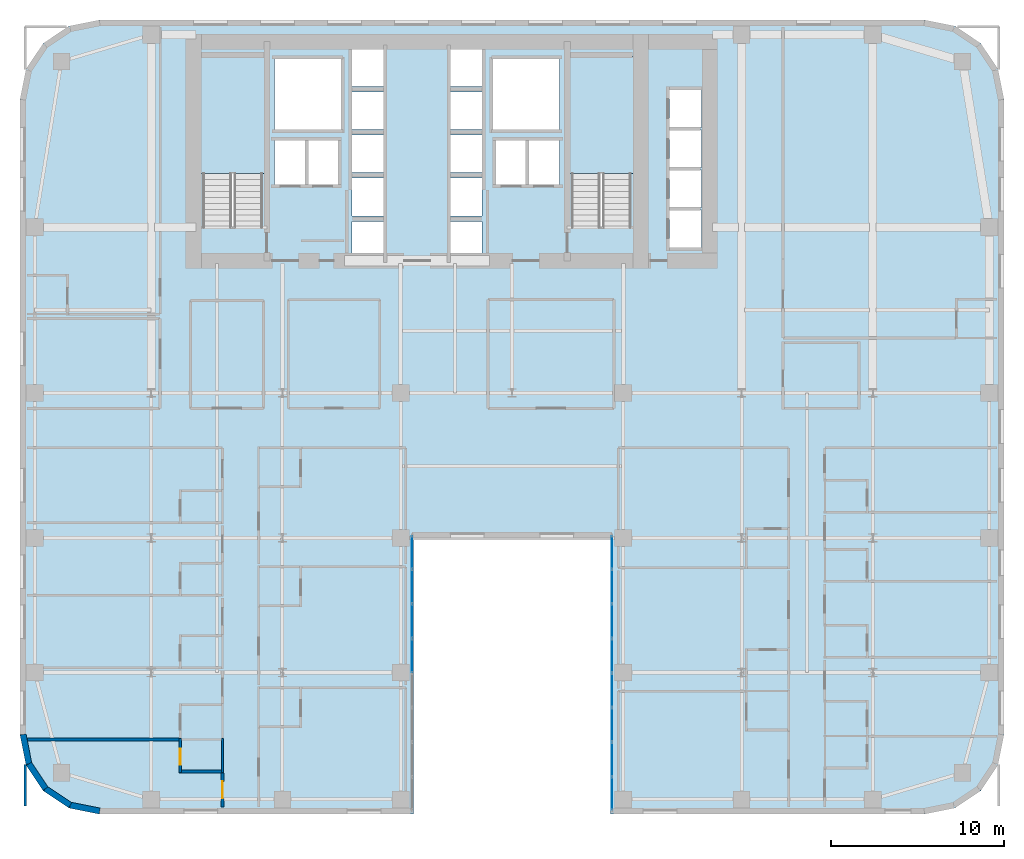
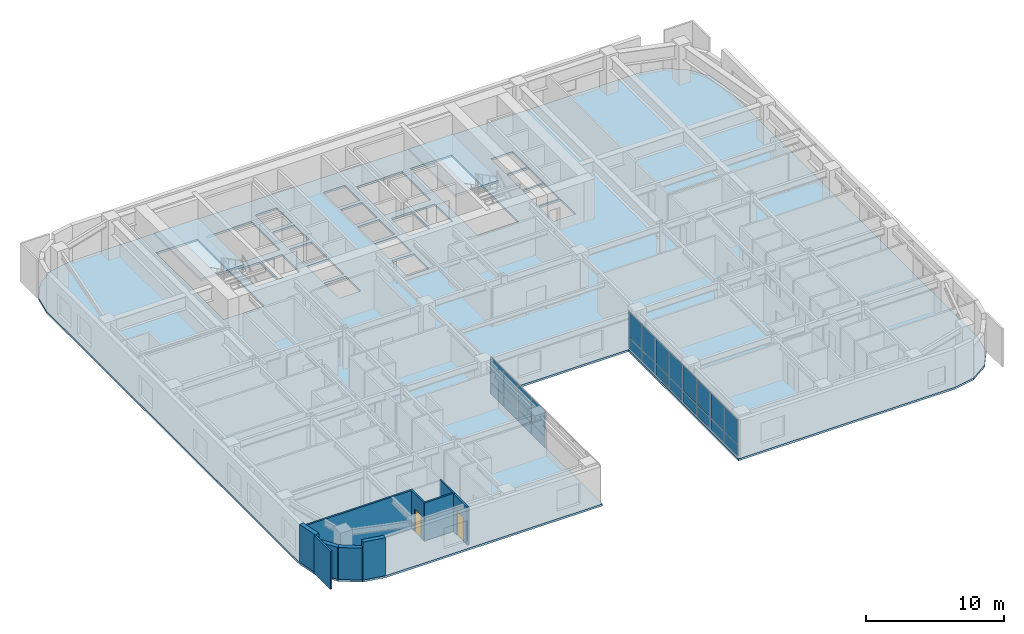
# One storey, part 9 of 17: 24 plates, 10 walls, 3 slabs, 2 doors, 2 openings, 4 elements without a shape of their own.
"""IFC4 building model written with IfcOpenShell, lengths in metres."""

from ifc_helpers import new_model, si_unit, direction, frame, frame_2d, origin, origin_2d, place, context, subcontext, project, spatial, polyline, rectangle, outline, extrude, source, transform, mapped, material, layer, layer_set, type_object, type_shapes, element, fill, aggregate, save


model = new_model("IFC4")

# Units and contexts
model_context = context("Model", 3, precision=1e-05, world=origin(), true_north=direction((0.0, 1.0)))
body_context = subcontext(model_context, "Body", "Model", "MODEL_VIEW")
ifc_project = project(units=[si_unit("LENGTHUNIT", "METRE"), si_unit("AREAUNIT", "SQUARE_METRE"), si_unit("VOLUMEUNIT", "CUBIC_METRE"), si_unit("PLANEANGLEUNIT", "RADIAN"), si_unit("MASSUNIT", "GRAM", prefix="KILO")], contexts=[model_context])

# Site, building, storey
site_placement = place(None, origin())
site = spatial("IfcSite", under=ifc_project, at=site_placement, CompositionType="ELEMENT")
building_placement = place(site_placement, origin())
building = spatial("IfcBuilding", under=site, at=building_placement, Name="Tolvann Quenvar Hotel", CompositionType="ELEMENT")
storey_placement = place(building_placement, frame((0.0, 0.0, 35.550048828125)))
storey = spatial("IfcBuildingStorey", under=building, at=storey_placement, Name="L07", CompositionType="ELEMENT", Elevation=35.550048828125)

# Stair, slab
ifc_material_1 = material(Name="Concrete N40 (40 MPa)", Category="concrete")
stair_type = type_object("IfcStairType", Name="STAIR", PredefinedType="HALF_TURN_STAIR", material=ifc_material_1)
stair_1_placement = place(storey_placement, origin())
stair_1 = element("IfcStair", 1, at=stair_1_placement, inside=storey, type_object=stair_type, Name="L07 ST-C1", PredefinedType="HALF_TURN_STAIR")
ifc_layer_1 = layer(ifc_material_1, 0.199951171875)
ifc_layer_set_1 = layer_set([ifc_layer_1], Name="Concrete N40 (40 MPa)")
slab_type_1 = type_object("IfcSlabType", Name="SLAB_LANDING", PredefinedType="LANDING", material=ifc_layer_set_1)
slab_1_placement = place(storey_placement, frame((0.0, 0.0, 1.574951171875)))
slab_1 = element("IfcSlab", 2, at=slab_1_placement, type_object=slab_type_1, Name="ST-C1 landing 1", PredefinedType="LANDING", context=body_context, shape_type="SweptSolid", body=[
    extrude(outline(polyline([(14.179931640625, 37.10498046875), (14.179931640625, 43.8798828125), (10.469970703125, 43.8798828125), (10.469970703125, 37.10498046875), (14.179931640625, 37.10498046875)])), origin(), (0.0, 0.0, 1.0), 0.199951171875),
])
aggregate(stair_1, [slab_1])

stair_2_placement = place(storey_placement, origin())
stair_2 = element("IfcStair", 3, at=stair_2_placement, inside=storey, type_object=stair_type, Name="L07 ST-C2", PredefinedType="HALF_TURN_STAIR")
slab_2_placement = place(storey_placement, frame((0.0, 0.0, 1.574951171875)))
slab_2 = element("IfcSlab", 4, at=slab_2_placement, type_object=slab_type_1, Name="ST-C2 landing 1", PredefinedType="LANDING", context=body_context, shape_type="SweptSolid", body=[
    extrude(outline(polyline([(35.530029296875, 37.10498046875), (35.530029296875, 43.8798828125), (31.820068359375, 43.8798828125), (31.820068359375, 37.10498046875), (35.530029296875, 37.10498046875)])), origin(), (0.0, 0.0, 1.0), 0.199951171875),
])
aggregate(stair_2, [slab_2])

# Slab
ifc_layer_2 = layer(ifc_material_1, 0.179931640625)
ifc_layer_set_2 = layer_set([ifc_layer_2], Name="Concrete N40 (40 MPa)")
slab_type_2 = type_object("IfcSlabType", Name="SLAB_TWR_180", PredefinedType="FLOOR", material=ifc_layer_set_2)
slab_3_placement = place(storey_placement, frame((0.0, 0.0, -0.179931640625)))
element("IfcSlab", 5, at=slab_3_placement, inside=storey, type_object=slab_type_2, Name="Level L07 Structural Floor Slab", PredefinedType="FLOOR", context=body_context, shape_type="SweptSolid", body=[
    extrude(outline(polyline([(0.0, 4.60009765625), (0.35009765625, 2.839599609375), (1.347412109375, 1.347412109375), (2.839599609375, 0.35009765625), (4.60009765625, 0.0), (22.800048828125, 0.0), (22.800048828125, 16.0), (34.199951171875, 16.0), (34.199951171875, 0.0), (52.39990234375, 0.0), (54.160400390625, 0.35009765625), (55.652587890625, 1.347412109375), (56.64990234375, 2.839599609375), (57.0, 4.60009765625), (57.0, 41.39990234375), (56.64990234375, 43.160400390625), (55.652587890625, 44.652587890625), (54.160400390625, 45.64990234375), (52.39990234375, 46.0), (4.60009765625, 46.0), (2.839599609375, 45.64990234375), (1.347412109375, 44.652587890625), (0.35009765625, 43.160400390625), (0.0, 41.39990234375), (0.0, 4.60009765625)]), holes=[polyline([(37.6298828125, 41.949951171875), (39.469970703125, 41.949951171875), (39.469970703125, 39.77001953125), (37.6298828125, 39.77001953125), (37.6298828125, 41.949951171875)]), polyline([(37.6298828125, 39.6298828125), (39.469970703125, 39.6298828125), (39.469970703125, 37.449951171875), (37.6298828125, 37.449951171875), (37.6298828125, 39.6298828125)]), polyline([(37.6298828125, 37.31005859375), (39.469970703125, 37.31005859375), (39.469970703125, 35.1298828125), (37.6298828125, 35.1298828125), (37.6298828125, 37.31005859375)]), polyline([(37.6298828125, 34.989990234375), (39.469970703125, 34.989990234375), (39.469970703125, 32.81005859375), (37.6298828125, 32.81005859375), (37.6298828125, 34.989990234375)]), polyline([(31.949951171875, 43.800048828125), (35.39990234375, 43.800048828125), (35.39990234375, 34.02490234375), (31.949951171875, 34.02490234375), (31.949951171875, 43.800048828125)]), polyline([(31.25, 39.02001953125), (31.25, 36.47998046875), (29.449951171875, 36.47998046875), (29.449951171875, 39.02001953125), (31.25, 39.02001953125)]), polyline([(31.25, 43.75), (31.25, 39.64990234375), (27.39990234375, 39.64990234375), (27.39990234375, 43.75), (31.25, 43.75)]), polyline([(27.574951171875, 39.02001953125), (29.324951171875, 39.02001953125), (29.324951171875, 36.47998046875), (27.574951171875, 36.47998046875), (27.574951171875, 39.02001953125)]), polyline([(26.77001953125, 36.840087890625), (26.77001953125, 34.659912109375), (24.929931640625, 34.659912109375), (24.929931640625, 36.840087890625), (26.77001953125, 36.840087890625)]), polyline([(26.77001953125, 44.340087890625), (26.77001953125, 42.159912109375), (24.929931640625, 42.159912109375), (24.929931640625, 44.340087890625), (26.77001953125, 44.340087890625)]), polyline([(26.77001953125, 41.840087890625), (26.77001953125, 39.659912109375), (24.929931640625, 39.659912109375), (24.929931640625, 41.840087890625), (26.77001953125, 41.840087890625)]), polyline([(26.77001953125, 39.340087890625), (26.77001953125, 37.159912109375), (24.929931640625, 37.159912109375), (24.929931640625, 39.340087890625), (26.77001953125, 39.340087890625)]), polyline([(24.929931640625, 34.340087890625), (26.77001953125, 34.340087890625), (26.77001953125, 32.159912109375), (24.929931640625, 32.159912109375), (24.929931640625, 34.340087890625)]), polyline([(21.070068359375, 44.340087890625), (21.070068359375, 42.159912109375), (19.22998046875, 42.159912109375), (19.22998046875, 44.340087890625), (21.070068359375, 44.340087890625)]), polyline([(19.22998046875, 41.840087890625), (21.070068359375, 41.840087890625), (21.070068359375, 39.659912109375), (19.22998046875, 39.659912109375), (19.22998046875, 41.840087890625)]), polyline([(21.070068359375, 39.340087890625), (21.070068359375, 37.159912109375), (19.22998046875, 37.159912109375), (19.22998046875, 39.340087890625), (21.070068359375, 39.340087890625)]), polyline([(19.22998046875, 36.840087890625), (21.070068359375, 36.840087890625), (21.070068359375, 34.659912109375), (19.22998046875, 34.659912109375), (19.22998046875, 36.840087890625)]), polyline([(19.22998046875, 34.340087890625), (21.070068359375, 34.340087890625), (21.070068359375, 32.159912109375), (19.22998046875, 32.159912109375), (19.22998046875, 34.340087890625)]), polyline([(18.60009765625, 43.75), (18.60009765625, 39.64990234375), (14.75, 39.64990234375), (14.75, 43.75), (18.60009765625, 43.75)]), polyline([(16.675048828125, 39.02001953125), (18.425048828125, 39.02001953125), (18.425048828125, 36.47998046875), (16.675048828125, 36.47998046875), (16.675048828125, 39.02001953125)]), polyline([(16.550048828125, 39.02001953125), (16.550048828125, 36.47998046875), (14.75, 36.47998046875), (14.75, 39.02001953125), (16.550048828125, 39.02001953125)]), polyline([(10.60009765625, 43.800048828125), (14.050048828125, 43.800048828125), (14.050048828125, 34.02490234375), (10.60009765625, 34.02490234375), (10.60009765625, 43.800048828125)])]), origin(), (0.0, 0.0, 1.0), 0.179931640625),
])

# Curtain wall, plate
ifc_material_2 = material(Name="Thermally broken anodised architectural aluminium 6063-T6 and laminated low-E glass", Category="aluminium")
ifc_layer_3 = layer(ifc_material_2, 0.179931640625)
ifc_layer_set_3 = layer_set([ifc_layer_3], Name="Thermally broken anodised architectural aluminium 6063-T6 and laminated low-E glass")
curtain_wall_type = type_object("IfcCurtainWallType", Name="CW_SYS_SLOT_03", PredefinedType="USERDEFINED", material=ifc_layer_set_3)
curtain_wall_1_placement = place(storey_placement, origin())
curtain_wall_1 = element("IfcCurtainWall", 6, at=curtain_wall_1_placement, inside=storey, type_object=curtain_wall_type, Name="Curtain Wall CW-SLOT-03 (CWR-L07-E05)", ObjectType="UNITISED CURTAIN WALL", PredefinedType="USERDEFINED")
ifc_material_3 = material(Name="Low-iron laminated double glazing with solar-control coating", Category="glass")
ifc_layer_4 = layer(ifc_material_3, 0.028076171875)
ifc_layer_set_4 = layer_set([ifc_layer_4], Name="Low-iron laminated double glazing with solar-control coating")
plate_type = type_object("IfcPlateType", Name="CW_PAN_VISION_28", PredefinedType="CURTAIN_PANEL", material=ifc_layer_set_4)
shared_shape_1 = source(origin(), body_context, "Body", "SweptSolid", [
    extrude(rectangle(XDim=1.89501953125, YDim=0.028076171875, at=origin_2d()), origin(), (0.0, 0.0, 1.0), 0.9599609375),
])
plate_1_placement = place(storey_placement, frame((22.7099609375, 15.157470703125, 0.06005859375), z_axis=(0.0, 0.0, 1.0), x_axis=(0.0, 1.0, 0.0)))
plate_1 = element("IfcPlate", 7, at=plate_1_placement, type_object=plate_type, Name="CW-SLOT-03 panel 8.1", PredefinedType="CURTAIN_PANEL", context=body_context, shape_type="MappedRepresentation", body=[
    mapped(shared_shape_1, transform((0.0, 0.0, 0.0), x_axis=(1.0, 0.0, 0.0), y_axis=(0.0, 1.0, 0.0), z_axis=(0.0, 0.0, 1.0), scale=1.0)),
])

# Curtain wall, plates
curtain_wall_2_placement = place(storey_placement, origin())
curtain_wall_2 = element("IfcCurtainWall", 8, at=curtain_wall_2_placement, inside=storey, type_object=curtain_wall_type, Name="Curtain Wall CW-SLOT-03 (CWR-L07-E07)", ObjectType="UNITISED CURTAIN WALL", PredefinedType="USERDEFINED")
plate_2_placement = place(storey_placement, frame((34.2900390625, 15.157470703125, 0.06005859375), z_axis=(0.0, 0.0, 1.0), x_axis=(0.0, -1.0, 0.0)))
plate_2 = element("IfcPlate", 9, at=plate_2_placement, type_object=plate_type, Name="CW-SLOT-03 panel 1.1", PredefinedType="CURTAIN_PANEL", context=body_context, shape_type="MappedRepresentation", body=[
    mapped(shared_shape_1, transform((0.0, 0.0, 0.0), x_axis=(1.0, 0.0, 0.0), y_axis=(0.0, 1.0, 0.0), z_axis=(0.0, 0.0, 1.0), scale=1.0)),
])
plate_3_placement = place(storey_placement, frame((34.2900390625, 1.1923828125, 0.06005859375), z_axis=(0.0, 0.0, 1.0), x_axis=(0.0, -1.0, 0.0)))
plate_3 = element("IfcPlate", 10, at=plate_3_placement, type_object=plate_type, Name="CW-SLOT-03 panel 8.1", PredefinedType="CURTAIN_PANEL", context=body_context, shape_type="MappedRepresentation", body=[
    mapped(shared_shape_1, transform((0.0, 0.0, 0.0), x_axis=(1.0, 0.0, 0.0), y_axis=(0.0, 1.0, 0.0), z_axis=(0.0, 0.0, 1.0), scale=1.0)),
])

# Plate
shared_shape_2 = source(origin(), body_context, "Body", "SweptSolid", [
    extrude(rectangle(XDim=1.89501953125, YDim=0.028076171875, at=origin_2d()), origin(), (0.0, 0.0, 1.0), 2.22998046875),
])
plate_4_placement = place(storey_placement, frame((22.7099609375, 15.157470703125, 1.080078125), z_axis=(0.0, 0.0, 1.0), x_axis=(0.0, 1.0, 0.0)))
plate_4 = element("IfcPlate", 11, at=plate_4_placement, type_object=plate_type, Name="CW-SLOT-03 panel 8.2", PredefinedType="CURTAIN_PANEL", context=body_context, shape_type="MappedRepresentation", body=[
    mapped(shared_shape_2, transform((0.0, 0.0, 0.0), x_axis=(1.0, 0.0, 0.0), y_axis=(0.0, 1.0, 0.0), z_axis=(0.0, 0.0, 1.0), scale=1.0)),
])

plate_5_placement = place(storey_placement, frame((34.2900390625, 15.157470703125, 1.080078125), z_axis=(0.0, 0.0, 1.0), x_axis=(0.0, -1.0, 0.0)))
plate_5 = element("IfcPlate", 12, at=plate_5_placement, type_object=plate_type, Name="CW-SLOT-03 panel 1.2", PredefinedType="CURTAIN_PANEL", context=body_context, shape_type="MappedRepresentation", body=[
    mapped(shared_shape_2, transform((0.0, 0.0, 0.0), x_axis=(1.0, 0.0, 0.0), y_axis=(0.0, 1.0, 0.0), z_axis=(0.0, 0.0, 1.0), scale=1.0)),
])

plate_6_placement = place(storey_placement, frame((34.2900390625, 1.1923828125, 1.080078125), z_axis=(0.0, 0.0, 1.0), x_axis=(0.0, -1.0, 0.0)))
plate_6 = element("IfcPlate", 13, at=plate_6_placement, type_object=plate_type, Name="CW-SLOT-03 panel 8.2", PredefinedType="CURTAIN_PANEL", context=body_context, shape_type="MappedRepresentation", body=[
    mapped(shared_shape_2, transform((0.0, 0.0, 0.0), x_axis=(1.0, 0.0, 0.0), y_axis=(0.0, 1.0, 0.0), z_axis=(0.0, 0.0, 1.0), scale=1.0)),
])

shared_shape_3 = source(origin(), body_context, "Body", "SweptSolid", [
    extrude(rectangle(XDim=1.929931640625, YDim=0.028076171875, at=origin_2d()), origin(), (0.0, 0.0, 1.0), 0.9599609375),
])
plate_7_placement = place(storey_placement, frame((22.7099609375, 9.175048828125, 0.06005859375), z_axis=(0.0, 0.0, 1.0), x_axis=(0.0, 1.0, 0.0)))
plate_7 = element("IfcPlate", 14, at=plate_7_placement, type_object=plate_type, Name="CW-SLOT-03 panel 5.1", PredefinedType="CURTAIN_PANEL", context=body_context, shape_type="MappedRepresentation", body=[
    mapped(shared_shape_3, transform((0.0, 0.0, 0.0), x_axis=(1.0, 0.0, 0.0), y_axis=(0.0, 1.0, 0.0), z_axis=(0.0, 0.0, 1.0), scale=1.0)),
])

plate_8_placement = place(storey_placement, frame((22.7099609375, 11.175048828125, 0.06005859375), z_axis=(0.0, 0.0, 1.0), x_axis=(0.0, 1.0, 0.0)))
plate_8 = element("IfcPlate", 15, at=plate_8_placement, type_object=plate_type, Name="CW-SLOT-03 panel 6.1", PredefinedType="CURTAIN_PANEL", context=body_context, shape_type="MappedRepresentation", body=[
    mapped(shared_shape_3, transform((0.0, 0.0, 0.0), x_axis=(1.0, 0.0, 0.0), y_axis=(0.0, 1.0, 0.0), z_axis=(0.0, 0.0, 1.0), scale=1.0)),
])

plate_9_placement = place(storey_placement, frame((22.7099609375, 13.175048828125, 0.06005859375), z_axis=(0.0, 0.0, 1.0), x_axis=(0.0, 1.0, 0.0)))
plate_9 = element("IfcPlate", 16, at=plate_9_placement, type_object=plate_type, Name="CW-SLOT-03 panel 7.1", PredefinedType="CURTAIN_PANEL", context=body_context, shape_type="MappedRepresentation", body=[
    mapped(shared_shape_3, transform((0.0, 0.0, 0.0), x_axis=(1.0, 0.0, 0.0), y_axis=(0.0, 1.0, 0.0), z_axis=(0.0, 0.0, 1.0), scale=1.0)),
])

plate_10_placement = place(storey_placement, frame((34.2900390625, 13.175048828125, 0.06005859375), z_axis=(0.0, 0.0, 1.0), x_axis=(0.0, -1.0, 0.0)))
plate_10 = element("IfcPlate", 17, at=plate_10_placement, type_object=plate_type, Name="CW-SLOT-03 panel 2.1", PredefinedType="CURTAIN_PANEL", context=body_context, shape_type="MappedRepresentation", body=[
    mapped(shared_shape_3, transform((0.0, 0.0, 0.0), x_axis=(1.0, 0.0, 0.0), y_axis=(0.0, 1.0, 0.0), z_axis=(0.0, 0.0, 1.0), scale=1.0)),
])

plate_11_placement = place(storey_placement, frame((34.2900390625, 11.175048828125, 0.06005859375), z_axis=(0.0, 0.0, 1.0), x_axis=(0.0, -1.0, 0.0)))
plate_11 = element("IfcPlate", 18, at=plate_11_placement, type_object=plate_type, Name="CW-SLOT-03 panel 3.1", PredefinedType="CURTAIN_PANEL", context=body_context, shape_type="MappedRepresentation", body=[
    mapped(shared_shape_3, transform((0.0, 0.0, 0.0), x_axis=(1.0, 0.0, 0.0), y_axis=(0.0, 1.0, 0.0), z_axis=(0.0, 0.0, 1.0), scale=1.0)),
])

plate_12_placement = place(storey_placement, frame((34.2900390625, 9.175048828125, 0.06005859375), z_axis=(0.0, 0.0, 1.0), x_axis=(0.0, -1.0, 0.0)))
plate_12 = element("IfcPlate", 19, at=plate_12_placement, type_object=plate_type, Name="CW-SLOT-03 panel 4.1", PredefinedType="CURTAIN_PANEL", context=body_context, shape_type="MappedRepresentation", body=[
    mapped(shared_shape_3, transform((0.0, 0.0, 0.0), x_axis=(1.0, 0.0, 0.0), y_axis=(0.0, 1.0, 0.0), z_axis=(0.0, 0.0, 1.0), scale=1.0)),
])

plate_13_placement = place(storey_placement, frame((34.2900390625, 7.175048828125, 0.06005859375), z_axis=(0.0, 0.0, 1.0), x_axis=(0.0, -1.0, 0.0)))
plate_13 = element("IfcPlate", 20, at=plate_13_placement, type_object=plate_type, Name="CW-SLOT-03 panel 5.1", PredefinedType="CURTAIN_PANEL", context=body_context, shape_type="MappedRepresentation", body=[
    mapped(shared_shape_3, transform((0.0, 0.0, 0.0), x_axis=(1.0, 0.0, 0.0), y_axis=(0.0, 1.0, 0.0), z_axis=(0.0, 0.0, 1.0), scale=1.0)),
])

plate_14_placement = place(storey_placement, frame((34.2900390625, 5.175048828125, 0.06005859375), z_axis=(0.0, 0.0, 1.0), x_axis=(0.0, -1.0, 0.0)))
plate_14 = element("IfcPlate", 21, at=plate_14_placement, type_object=plate_type, Name="CW-SLOT-03 panel 6.1", PredefinedType="CURTAIN_PANEL", context=body_context, shape_type="MappedRepresentation", body=[
    mapped(shared_shape_3, transform((0.0, 0.0, 0.0), x_axis=(1.0, 0.0, 0.0), y_axis=(0.0, 1.0, 0.0), z_axis=(0.0, 0.0, 1.0), scale=1.0)),
])

plate_15_placement = place(storey_placement, frame((34.2900390625, 3.175048828125, 0.06005859375), z_axis=(0.0, 0.0, 1.0), x_axis=(0.0, -1.0, 0.0)))
plate_15 = element("IfcPlate", 22, at=plate_15_placement, type_object=plate_type, Name="CW-SLOT-03 panel 7.1", PredefinedType="CURTAIN_PANEL", context=body_context, shape_type="MappedRepresentation", body=[
    mapped(shared_shape_3, transform((0.0, 0.0, 0.0), x_axis=(1.0, 0.0, 0.0), y_axis=(0.0, 1.0, 0.0), z_axis=(0.0, 0.0, 1.0), scale=1.0)),
])

shared_shape_4 = source(origin(), body_context, "Body", "SweptSolid", [
    extrude(rectangle(XDim=1.929931640625, YDim=0.028076171875, at=origin_2d()), origin(), (0.0, 0.0, 1.0), 2.22998046875),
])
type_shapes(plate_type, [shared_shape_1, shared_shape_2, shared_shape_3, shared_shape_4])
plate_16_placement = place(storey_placement, frame((22.7099609375, 9.175048828125, 1.080078125), z_axis=(0.0, 0.0, 1.0), x_axis=(0.0, 1.0, 0.0)))
plate_16 = element("IfcPlate", 23, at=plate_16_placement, type_object=plate_type, Name="CW-SLOT-03 panel 5.2", PredefinedType="CURTAIN_PANEL", context=body_context, shape_type="MappedRepresentation", body=[
    mapped(shared_shape_4, transform((0.0, 0.0, 0.0), x_axis=(1.0, 0.0, 0.0), y_axis=(0.0, 1.0, 0.0), z_axis=(0.0, 0.0, 1.0), scale=1.0)),
])

plate_17_placement = place(storey_placement, frame((22.7099609375, 11.175048828125, 1.080078125), z_axis=(0.0, 0.0, 1.0), x_axis=(0.0, 1.0, 0.0)))
plate_17 = element("IfcPlate", 24, at=plate_17_placement, type_object=plate_type, Name="CW-SLOT-03 panel 6.2", PredefinedType="CURTAIN_PANEL", context=body_context, shape_type="MappedRepresentation", body=[
    mapped(shared_shape_4, transform((0.0, 0.0, 0.0), x_axis=(1.0, 0.0, 0.0), y_axis=(0.0, 1.0, 0.0), z_axis=(0.0, 0.0, 1.0), scale=1.0)),
])

plate_18_placement = place(storey_placement, frame((22.7099609375, 13.175048828125, 1.080078125), z_axis=(0.0, 0.0, 1.0), x_axis=(0.0, 1.0, 0.0)))
plate_18 = element("IfcPlate", 25, at=plate_18_placement, type_object=plate_type, Name="CW-SLOT-03 panel 7.2", PredefinedType="CURTAIN_PANEL", context=body_context, shape_type="MappedRepresentation", body=[
    mapped(shared_shape_4, transform((0.0, 0.0, 0.0), x_axis=(1.0, 0.0, 0.0), y_axis=(0.0, 1.0, 0.0), z_axis=(0.0, 0.0, 1.0), scale=1.0)),
])

aggregate(curtain_wall_1, [plate_7, plate_16, plate_8, plate_17, plate_9, plate_18, plate_1, plate_4])

plate_19_placement = place(storey_placement, frame((34.2900390625, 13.175048828125, 1.080078125), z_axis=(0.0, 0.0, 1.0), x_axis=(0.0, -1.0, 0.0)))
plate_19 = element("IfcPlate", 26, at=plate_19_placement, type_object=plate_type, Name="CW-SLOT-03 panel 2.2", PredefinedType="CURTAIN_PANEL", context=body_context, shape_type="MappedRepresentation", body=[
    mapped(shared_shape_4, transform((0.0, 0.0, 0.0), x_axis=(1.0, 0.0, 0.0), y_axis=(0.0, 1.0, 0.0), z_axis=(0.0, 0.0, 1.0), scale=1.0)),
])

plate_20_placement = place(storey_placement, frame((34.2900390625, 11.175048828125, 1.080078125), z_axis=(0.0, 0.0, 1.0), x_axis=(0.0, -1.0, 0.0)))
plate_20 = element("IfcPlate", 27, at=plate_20_placement, type_object=plate_type, Name="CW-SLOT-03 panel 3.2", PredefinedType="CURTAIN_PANEL", context=body_context, shape_type="MappedRepresentation", body=[
    mapped(shared_shape_4, transform((0.0, 0.0, 0.0), x_axis=(1.0, 0.0, 0.0), y_axis=(0.0, 1.0, 0.0), z_axis=(0.0, 0.0, 1.0), scale=1.0)),
])

plate_21_placement = place(storey_placement, frame((34.2900390625, 9.175048828125, 1.080078125), z_axis=(0.0, 0.0, 1.0), x_axis=(0.0, -1.0, 0.0)))
plate_21 = element("IfcPlate", 28, at=plate_21_placement, type_object=plate_type, Name="CW-SLOT-03 panel 4.2", PredefinedType="CURTAIN_PANEL", context=body_context, shape_type="MappedRepresentation", body=[
    mapped(shared_shape_4, transform((0.0, 0.0, 0.0), x_axis=(1.0, 0.0, 0.0), y_axis=(0.0, 1.0, 0.0), z_axis=(0.0, 0.0, 1.0), scale=1.0)),
])

plate_22_placement = place(storey_placement, frame((34.2900390625, 7.175048828125, 1.080078125), z_axis=(0.0, 0.0, 1.0), x_axis=(0.0, -1.0, 0.0)))
plate_22 = element("IfcPlate", 29, at=plate_22_placement, type_object=plate_type, Name="CW-SLOT-03 panel 5.2", PredefinedType="CURTAIN_PANEL", context=body_context, shape_type="MappedRepresentation", body=[
    mapped(shared_shape_4, transform((0.0, 0.0, 0.0), x_axis=(1.0, 0.0, 0.0), y_axis=(0.0, 1.0, 0.0), z_axis=(0.0, 0.0, 1.0), scale=1.0)),
])

plate_23_placement = place(storey_placement, frame((34.2900390625, 5.175048828125, 1.080078125), z_axis=(0.0, 0.0, 1.0), x_axis=(0.0, -1.0, 0.0)))
plate_23 = element("IfcPlate", 30, at=plate_23_placement, type_object=plate_type, Name="CW-SLOT-03 panel 6.2", PredefinedType="CURTAIN_PANEL", context=body_context, shape_type="MappedRepresentation", body=[
    mapped(shared_shape_4, transform((0.0, 0.0, 0.0), x_axis=(1.0, 0.0, 0.0), y_axis=(0.0, 1.0, 0.0), z_axis=(0.0, 0.0, 1.0), scale=1.0)),
])

plate_24_placement = place(storey_placement, frame((34.2900390625, 3.175048828125, 1.080078125), z_axis=(0.0, 0.0, 1.0), x_axis=(0.0, -1.0, 0.0)))
plate_24 = element("IfcPlate", 31, at=plate_24_placement, type_object=plate_type, Name="CW-SLOT-03 panel 7.2", PredefinedType="CURTAIN_PANEL", context=body_context, shape_type="MappedRepresentation", body=[
    mapped(shared_shape_4, transform((0.0, 0.0, 0.0), x_axis=(1.0, 0.0, 0.0), y_axis=(0.0, 1.0, 0.0), z_axis=(0.0, 0.0, 1.0), scale=1.0)),
])

aggregate(curtain_wall_2, [plate_2, plate_5, plate_10, plate_19, plate_11, plate_20, plate_12, plate_21, plate_13, plate_22, plate_14, plate_23, plate_15, plate_24, plate_3, plate_6])

# Walls
ifc_material_4 = material(Name="Kiln-fired red and buff architectural clay brickwork and terracotta masonry", Category="masonry")
ifc_layer_5 = layer(ifc_material_4, 0.35009765625)
ifc_layer_set_5 = layer_set([ifc_layer_5], Name="Kiln-fired red and buff architectural clay brickwork and terracotta masonry")
wall_type_1 = type_object("IfcWallType", Name="WALL_EXT_BRICK_350", PredefinedType="SOLIDWALL", material=ifc_layer_set_5)
for number, where, z_axis, x_axis, name in (
    (32, (0.514892578125, 2.907958984375, 0.0), (0.0, 0.0, 1.0), (0.55554893791, -0.831483840845, 0.0), "Exterior Chicago Brick Wall L07-E01"),
    (33, (1.473388671875, 1.473388671875, 0.0), (0.0, 0.0, 1.0), (0.831483840845, -0.55554893791, 0.0), "Exterior Chicago Brick Wall L07-E02"),
):
    element("IfcWall", number, at=place(storey_placement, frame(where, z_axis=z_axis, x_axis=x_axis)), inside=storey, type_object=wall_type_1, Name=name, PredefinedType="SOLIDWALL", context=body_context, shape_type="SweptSolid", body=[
        extrude(rectangle(XDim=1.725341796875, YDim=0.35009765625, at=frame_2d((0.86279296875, 0.0))), origin(), (0.0, 0.0, 1.0), 2.83203125),
    ])
for number, where, z_axis, x_axis, name in (
    (34, (2.907958984375, 0.514892578125, 0.0), (0.0, 0.0, 1.0), (0.980800971659, -0.195011420161, 0.0), "Exterior Chicago Brick Wall L07-E03"),
    (35, (0.175048828125, 4.6171875, 0.0), (0.0, 0.0, 1.0), (0.195011420161, -0.980800971659, 0.0), "Exterior Chicago Brick Wall L07-E24"),
):
    element("IfcWall", number, at=place(storey_placement, frame(where, z_axis=z_axis, x_axis=x_axis)), inside=storey, type_object=wall_type_1, Name=name, PredefinedType="SOLIDWALL", context=body_context, shape_type="SweptSolid", body=[
        extrude(rectangle(XDim=1.74267578125, YDim=0.35009765625, at=frame_2d((0.871337890625, 0.0))), origin(), (0.0, 0.0, 1.0), 3.369873046875),
    ])
ifc_material_5 = material(Name="Moisture-resistant acoustic plumbing wall assembly")
ifc_layer_6 = layer(ifc_material_5, 0.1201171875)
ifc_layer_set_6 = layer_set([ifc_layer_6], Name="Moisture-resistant acoustic plumbing wall assembly")
wall_type_2 = type_object("IfcWallType", Name="WALL_PART_BATH_120", PredefinedType="PLUMBINGWALL", material=ifc_layer_set_6)
wall_1_placement = place(storey_placement, frame((11.72998046875, 2.39990234375, 0.0), z_axis=(0.0, 0.0, 1.0), x_axis=(0.0, 1.0, 0.0)))
element("IfcWall", 36, at=wall_1_placement, inside=storey, type_object=wall_type_2, Name="Non-Rated Plumbing Partition PT-SPC-L07-ENS-WO01-E", PredefinedType="PLUMBINGWALL", context=body_context, shape_type="SweptSolid", body=[
    extrude(rectangle(XDim=1.989990234375, YDim=0.1201171875, at=frame_2d((0.9951171875, 0.0))), origin(), (0.0, 0.0, 1.0), 3.369873046875),
])

# Wall, opening, door
ifc_material_6 = material(Name="Acoustic twin-stud fire-rated gypsum plasterboard partition")
ifc_layer_7 = layer(ifc_material_6, 0.14990234375)
ifc_layer_set_7 = layer_set([ifc_layer_7], Name="Acoustic twin-stud fire-rated gypsum plasterboard partition")
wall_type_3 = type_object("IfcWallType", Name="WALL_PART_SUITE_150", PredefinedType="PARTITIONING", material=ifc_layer_set_7)
wall_2_placement = place(storey_placement, frame((9.280029296875, 2.39990234375, 0.0), z_axis=(0.0, 0.0, 1.0), x_axis=(0.0, 1.0, 0.0)))
wall_2 = element("IfcWall", 37, at=wall_2_placement, inside=storey, type_object=wall_type_3, Name="Interior Partition PT-SPC-L07-ENS-WO01-ENT", PredefinedType="PARTITIONING", context=body_context, shape_type="SweptSolid", body=[
    extrude(rectangle(XDim=1.989990234375, YDim=0.14990234375, at=frame_2d((0.9951171875, 0.0))), origin(), (0.0, 0.0, 1.0), 3.369873046875),
])
opening_1_placement = place(wall_2_placement, frame((0.465087890625, 0.0, 0.0)))
opening_1 = element("IfcOpeningElement", 38, at=opening_1_placement, cuts=wall_2, Name="Opening WD-01", PredefinedType="OPENING", context=body_context, shape_type="SweptSolid", body=[
    extrude(rectangle(XDim=0.919921875, YDim=2.010009765625, at=frame_2d((0.4599609375, 1.0048828125))), frame((0.0, 0.0849609375, 0.0), z_axis=(0.0, -1.0, 0.0), x_axis=(1.0, 0.0, 0.0)), (0.0, 0.0, 1.0), 0.169921875),
])
ifc_material_7 = material(Name="Solid-core American oak acoustic fire door leaf in steel frame", Category="steel")
door_type_1 = type_object("IfcDoorType", Name="DOOR_WC_920", OperationType="NOTDEFINED", PredefinedType="DOOR", material=ifc_material_7)
shared_shape_5 = source(origin(), body_context, "Body", "SweptSolid", [
    extrude(rectangle(XDim=0.919921875, YDim=2.010009765625, at=frame_2d((0.4599609375, 1.0048828125))), frame((0.0, 0.02490234375, 0.0), z_axis=(0.0, -1.0, 0.0), x_axis=(1.0, 0.0, 0.0)), (0.0, 0.0, 1.0), 0.050048828125),
])
type_shapes(door_type_1, [shared_shape_5])
door_1_placement = place(opening_1_placement, origin())
door_1 = element("IfcDoor", 39, at=door_1_placement, inside=storey, type_object=door_type_1, Name="Interior Door DOOR-SPC-L07-ENS-WO01", OperationType="SINGLE_SWING_RIGHT", OverallHeight=2.010009765625, OverallWidth=0.919921875, PredefinedType="DOOR", context=body_context, shape_type="MappedRepresentation", body=[
    mapped(shared_shape_5, transform((0.0, 0.0, 0.0), x_axis=(1.0, 0.0, 0.0), y_axis=(0.0, 1.0, 0.0), z_axis=(0.0, 0.0, 1.0), scale=1.0)),
])
fill(opening_1, door_1)

# Wall
wall_3_placement = place(storey_placement, frame((9.2099609375, 2.469970703125, 0.0), z_axis=(0.0, 0.0, 1.0), x_axis=(1.0, 0.0, 0.0)))
element("IfcWall", 40, at=wall_3_placement, inside=storey, type_object=wall_type_3, Name="Interior Partition PT-SPC-L07-ENS-WO01-S", PredefinedType="PARTITIONING", context=body_context, shape_type="SweptSolid", body=[
    extrude(rectangle(XDim=2.590087890625, YDim=0.14990234375, at=frame_2d((1.294921875, 0.0))), origin(), (0.0, 0.0, 1.0), 3.369873046875),
])

# Wall, opening, door
wall_4_placement = place(storey_placement, frame((11.72998046875, 0.405029296875, 0.0), z_axis=(0.0, 0.0, 1.0), x_axis=(0.0, 1.0, 0.0)))
wall_4 = element("IfcWall", 41, at=wall_4_placement, inside=storey, type_object=wall_type_3, Name="Interior Partition PT-SPC-L07-RM-WO01-ENT", PredefinedType="PARTITIONING", context=body_context, shape_type="SweptSolid", body=[
    extrude(rectangle(XDim=1.98486328125, YDim=0.14990234375, at=frame_2d((0.992431640625, 0.0))), origin(), (0.0, 0.0, 1.0), 3.369873046875),
])
opening_2_placement = place(wall_4_placement, frame((0.510009765625, 0.0, 0.0)))
opening_2 = element("IfcOpeningElement", 42, at=opening_2_placement, cuts=wall_4, Name="Opening SD-01", PredefinedType="OPENING", context=body_context, shape_type="SweptSolid", body=[
    extrude(rectangle(XDim=0.97998046875, YDim=2.1201171875, at=frame_2d((0.489990234375, 1.06005859375))), frame((0.0, 0.0849609375, 0.0), z_axis=(0.0, -1.0, 0.0), x_axis=(1.0, 0.0, 0.0)), (0.0, 0.0, 1.0), 0.169921875),
])
door_type_2 = type_object("IfcDoorType", Name="DOOR_SUITE_980", OperationType="NOTDEFINED", PredefinedType="DOOR", material=ifc_material_7)
shared_shape_6 = source(origin(), body_context, "Body", "SweptSolid", [
    extrude(rectangle(XDim=0.97998046875, YDim=2.1201171875, at=frame_2d((0.489990234375, 1.06005859375))), frame((0.0, 0.02490234375, 0.0), z_axis=(0.0, -1.0, 0.0), x_axis=(1.0, 0.0, 0.0)), (0.0, 0.0, 1.0), 0.050048828125),
])
type_shapes(door_type_2, [shared_shape_6])
door_2_placement = place(opening_2_placement, origin())
door_2 = element("IfcDoor", 43, at=door_2_placement, inside=storey, type_object=door_type_2, Name="Interior Door DOOR-SPC-L07-RM-WO01", OperationType="SINGLE_SWING_RIGHT", OverallHeight=2.1201171875, OverallWidth=0.97998046875, PredefinedType="DOOR", context=body_context, shape_type="MappedRepresentation", body=[
    mapped(shared_shape_6, transform((0.0, 0.0, 0.0), x_axis=(1.0, 0.0, 0.0), y_axis=(0.0, 1.0, 0.0), z_axis=(0.0, 0.0, 1.0), scale=1.0)),
])
fill(opening_2, door_2)

# Walls
wall_5_placement = place(storey_placement, frame((0.43701171875, 4.320068359375, 0.0), z_axis=(0.0, 0.0, 1.0), x_axis=(1.0, 0.0, 0.0)))
element("IfcWall", 44, at=wall_5_placement, inside=storey, type_object=wall_type_3, Name="Interior Partition PT-SPC-L07-RM-WO01-E5", PredefinedType="PARTITIONING", context=body_context, shape_type="SweptSolid", body=[
    extrude(rectangle(XDim=8.762939453125, YDim=0.14990234375, at=frame_2d((4.38134765625, 0.0))), origin(), (0.0, 0.0, 1.0), 3.369873046875),
])
wall_6_placement = place(storey_placement, frame((0.300048828125, 0.47998046875, 0.0), z_axis=(0.0, 0.0, 1.0), x_axis=(0.0, 1.0, 0.0)))
element("IfcWall", 45, at=wall_6_placement, inside=storey, type_object=wall_type_3, Name="Interior Partition PT-SPC-L07-RM-WO01-E6", PredefinedType="PARTITIONING", context=body_context, shape_type="SweptSolid", body=[
    extrude(rectangle(XDim=2.385009765625, YDim=0.14990234375, at=frame_2d((1.1923828125, 0.0))), origin(), (0.0, 0.0, 1.0), 3.369873046875),
])

save(model, "model.ifc")
